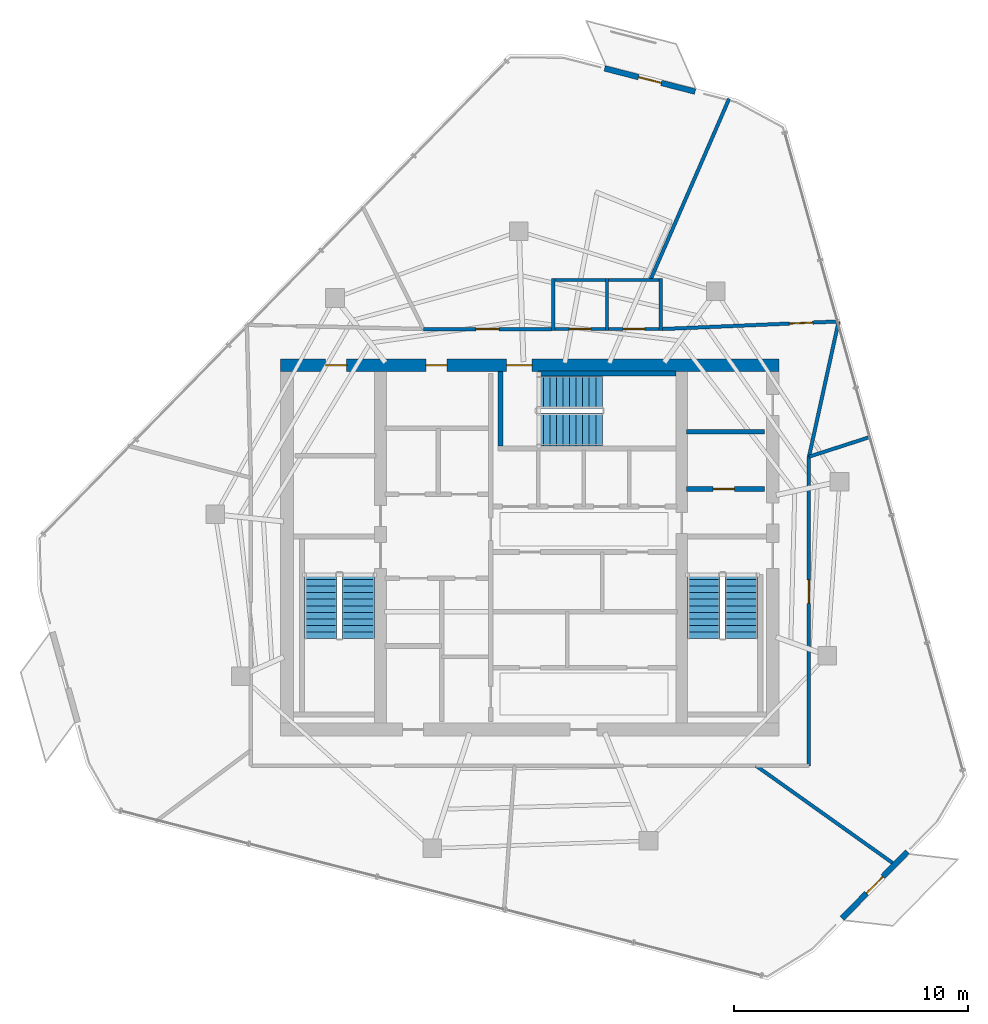
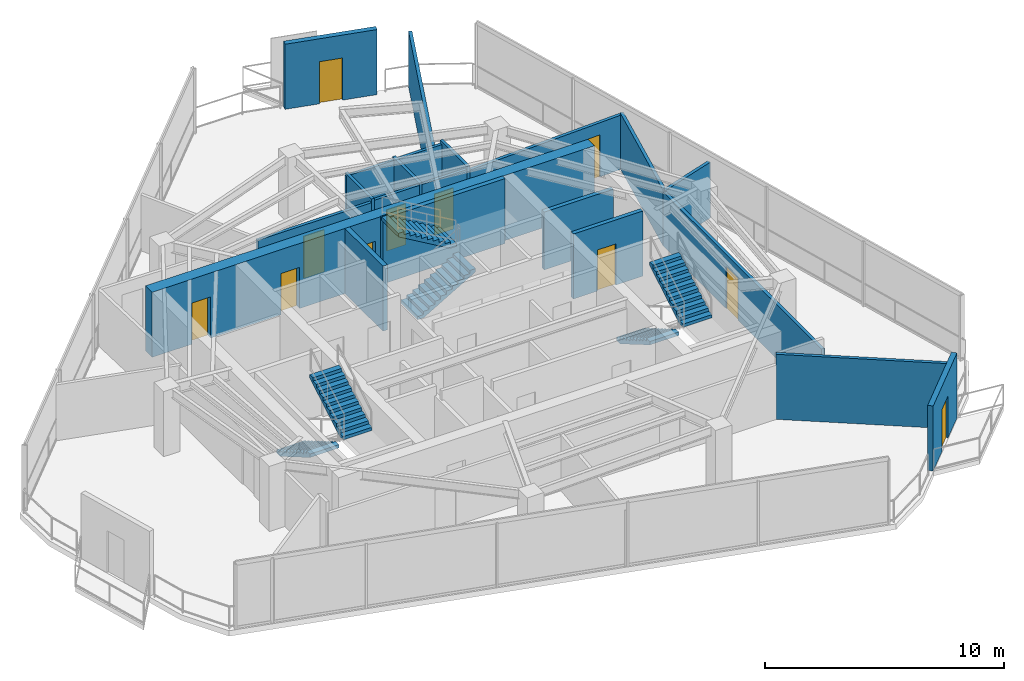
# One storey, part 16 of 18: 21 walls, 11 doors, 6 stair flights, 11 openings, 3 elements without a shape of their own.
"""IFC4 building model written with IfcOpenShell, lengths in metres."""

from ifc_helpers import new_model, si_unit, direction, frame, frame_2d, origin, place, context, subcontext, project, spatial, polyline, rectangle, outline, extrude, material, layer, layer_set, type_object, element, fill, aggregate, save


model = new_model("IFC4")

# Units and contexts
model_context = context("Model", 3, precision=1e-05, world=origin(), true_north=direction((0.0, 1.0)))
body_context = subcontext(model_context, "Body", "Model", "MODEL_VIEW")
ifc_project = project(units=[si_unit("LENGTHUNIT", "METRE"), si_unit("AREAUNIT", "SQUARE_METRE"), si_unit("VOLUMEUNIT", "CUBIC_METRE"), si_unit("PLANEANGLEUNIT", "RADIAN"), si_unit("MASSUNIT", "GRAM", prefix="KILO")], contexts=[model_context])

# Site, building, storey
site_placement = place(None, origin())
site = spatial("IfcSite", under=ifc_project, at=site_placement, CompositionType="ELEMENT")
building_placement = place(site_placement, origin())
building = spatial("IfcBuilding", under=site, at=building_placement, Name="Qarnah Convention Tower", CompositionType="ELEMENT")
storey_placement = place(building_placement, frame((0.0, 0.0, 239.10009765625)))
storey = spatial("IfcBuildingStorey", under=building, at=storey_placement, Name="L64", CompositionType="ELEMENT", Elevation=239.10009765625)

# Wall, openings, doors
ifc_material_1 = material(Name="Concrete C60/75", Category="concrete")
ifc_layer_1 = layer(ifc_material_1, 0.550048828125)
ifc_layer_set_1 = layer_set([ifc_layer_1], Name="Concrete C60/75")
wall_type_1 = type_object("IfcWallType", Name="WL-CORE-550", PredefinedType="SHEAR", material=ifc_layer_set_1)
wall_1_placement = place(storey_placement, frame((26.52490234375, 34.199951171875, 0.0), z_axis=(0.0, 0.0, 1.0), x_axis=(1.0, 0.0, 0.0)))
wall_1 = element("IfcWall", 1, at=wall_1_placement, inside=storey, type_object=wall_type_1, Name="L64 core north shear wall", PredefinedType="SHEAR", context=body_context, shape_type="SweptSolid", body=[
    extrude(rectangle(XDim=21.35009765625, YDim=0.550048828125, at=frame_2d((10.675048828125, 0.0))), origin(), (0.0, 0.0, 1.0), 3.31982421875),
])
opening_1_placement = place(wall_1_placement, frame((9.675048828125, 0.0, 0.0)))
opening_1 = element("IfcOpeningElement", 2, at=opening_1_placement, cuts=wall_1, Name="Opening D-6403", PredefinedType="OPENING", context=body_context, shape_type="SweptSolid", body=[
    extrude(rectangle(XDim=1.10009765625, YDim=2.14990234375, at=frame_2d((0.550048828125, 1.074951171875))), frame((0.0, 0.284912109375, 0.0), z_axis=(0.0, -1.0, 0.0), x_axis=(1.0, 0.0, 0.0)), (0.0, 0.0, 1.0), 0.570068359375),
])
opening_2_placement = place(wall_1_placement, frame((1.925048828125, 0.0, 0.0)))
opening_2 = element("IfcOpeningElement", 3, at=opening_2_placement, cuts=wall_1, Name="Opening D-6409", PredefinedType="OPENING", context=body_context, shape_type="SweptSolid", body=[
    extrude(rectangle(XDim=0.89990234375, YDim=2.10009765625, at=frame_2d((0.449951171875, 1.050048828125))), frame((0.0, 0.284912109375, 0.0), z_axis=(0.0, -1.0, 0.0), x_axis=(1.0, 0.0, 0.0)), (0.0, 0.0, 1.0), 0.570068359375),
])
opening_3_placement = place(wall_1_placement, frame((6.22509765625, 0.0, 0.0)))
opening_3 = element("IfcOpeningElement", 4, at=opening_3_placement, cuts=wall_1, Name="Opening D-6410", PredefinedType="OPENING", context=body_context, shape_type="SweptSolid", body=[
    extrude(rectangle(XDim=0.89990234375, YDim=2.10009765625, at=frame_2d((0.449951171875, 1.050048828125))), frame((0.0, 0.284912109375, 0.0), z_axis=(0.0, -1.0, 0.0), x_axis=(1.0, 0.0, 0.0)), (0.0, 0.0, 1.0), 0.570068359375),
])
ifc_material_2 = material(Name="Structural steel S355JR", Category="steel")
door_type_1 = type_object("IfcDoorType", Name="DT-RISER-900", OperationType="NOTDEFINED", PredefinedType="DOOR", material=ifc_material_2)
door_1_placement = place(opening_2_placement, origin())
door_1 = element("IfcDoor", 5, at=door_1_placement, inside=storey, type_object=door_type_1, Name="Door D-6409", OperationType="SINGLE_SWING_RIGHT", OverallHeight=2.10009765625, OverallWidth=0.89990234375, PredefinedType="DOOR", context=body_context, shape_type="SweptSolid", body=[
    extrude(rectangle(XDim=0.89990234375, YDim=2.10009765625, at=frame_2d((0.449951171875, 1.050048828125))), frame((0.0, 0.02490234375, 0.0), z_axis=(0.0, -1.0, 0.0), x_axis=(1.0, 0.0, 0.0)), (0.0, 0.0, 1.0), 0.050048828125),
])
fill(opening_2, door_1)
door_2_placement = place(opening_3_placement, origin())
door_2 = element("IfcDoor", 6, at=door_2_placement, inside=storey, type_object=door_type_1, Name="Door D-6410", OperationType="SINGLE_SWING_LEFT", OverallHeight=2.10009765625, OverallWidth=0.89990234375, PredefinedType="DOOR", context=body_context, shape_type="SweptSolid", body=[
    extrude(rectangle(XDim=0.89990234375, YDim=2.10009765625, at=frame_2d((0.449951171875, 1.050048828125))), frame((0.0, 0.02490234375, 0.0), z_axis=(0.0, -1.0, 0.0), x_axis=(1.0, 0.0, 0.0)), (0.0, 0.0, 1.0), 0.050048828125),
])
fill(opening_3, door_2)
door_type_2 = type_object("IfcDoorType", Name="DT-STAIR-1100", OperationType="NOTDEFINED", PredefinedType="DOOR", material=ifc_material_2)
door_3_placement = place(opening_1_placement, origin())
door_3 = element("IfcDoor", 7, at=door_3_placement, inside=storey, type_object=door_type_2, Name="Door D-6403", OperationType="SINGLE_SWING_RIGHT", OverallHeight=2.14990234375, OverallWidth=1.10009765625, PredefinedType="DOOR", context=body_context, shape_type="SweptSolid", body=[
    extrude(rectangle(XDim=1.10009765625, YDim=2.14990234375, at=frame_2d((0.550048828125, 1.074951171875))), frame((0.0, 0.02490234375, 0.0), z_axis=(0.0, -1.0, 0.0), x_axis=(1.0, 0.0, 0.0)), (0.0, 0.0, 1.0), 0.050048828125),
])
fill(opening_1, door_3)

# Wall, opening, door
ifc_material_3 = material(Name="Concrete C45/55", Category="concrete")
ifc_layer_2 = layer(ifc_material_3, 0.199951171875)
ifc_layer_set_2 = layer_set([ifc_layer_2], Name="Concrete C45/55")
wall_type_2 = type_object("IfcWallType", Name="WL-CORE-PART-200", PredefinedType="SOLIDWALL", material=ifc_layer_set_2)
wall_2_placement = place(storey_placement, frame((43.89990234375, 28.89990234375, 0.0), z_axis=(0.0, 0.0, 1.0), x_axis=(1.0, 0.0, 0.0)))
wall_2 = element("IfcWall", 8, at=wall_2_placement, inside=storey, type_object=wall_type_2, Name="L64 interior wall IW-L64-EVSTN", PredefinedType="SOLIDWALL", context=body_context, shape_type="SweptSolid", body=[
    extrude(rectangle(XDim=3.35009765625, YDim=0.199951171875, at=frame_2d((1.675048828125, 0.0))), origin(), (0.0, 0.0, 1.0), 3.31982421875),
])
opening_4_placement = place(wall_2_placement, frame((1.14990234375, 0.0, 0.0)))
opening_4 = element("IfcOpeningElement", 9, at=opening_4_placement, cuts=wall_2, Name="Opening D-6411", PredefinedType="OPENING", context=body_context, shape_type="SweptSolid", body=[
    extrude(rectangle(XDim=0.89990234375, YDim=2.10009765625, at=frame_2d((0.449951171875, 1.050048828125))), frame((0.0, 0.10986328125, 0.0), z_axis=(0.0, -1.0, 0.0), x_axis=(1.0, 0.0, 0.0)), (0.0, 0.0, 1.0), 0.219970703125),
])
door_4_placement = place(opening_4_placement, origin())
door_4 = element("IfcDoor", 10, at=door_4_placement, inside=storey, type_object=door_type_1, Name="Door D-6411", OperationType="SINGLE_SWING_RIGHT", OverallHeight=2.10009765625, OverallWidth=0.89990234375, PredefinedType="DOOR", context=body_context, shape_type="SweptSolid", body=[
    extrude(rectangle(XDim=0.89990234375, YDim=2.10009765625, at=frame_2d((0.449951171875, 1.050048828125))), frame((0.0, 0.02490234375, 0.0), z_axis=(0.0, -1.0, 0.0), x_axis=(1.0, 0.0, 0.0)), (0.0, 0.0, 1.0), 0.050048828125),
])
fill(opening_4, door_4)

# Walls
wall_3_placement = place(storey_placement, frame((43.89990234375, 31.35009765625, 0.0), z_axis=(0.0, 0.0, 1.0), x_axis=(1.0, 0.0, 0.0)))
element("IfcWall", 11, at=wall_3_placement, inside=storey, type_object=wall_type_2, Name="L64 interior wall IW-L64-WTRN", PredefinedType="SOLIDWALL", context=body_context, shape_type="SweptSolid", body=[
    extrude(rectangle(XDim=3.35009765625, YDim=0.199951171875, at=frame_2d((1.675048828125, 0.0))), origin(), (0.0, 0.0, 1.0), 2.948974609375),
])
ifc_layer_3 = layer(ifc_material_1, 0.219970703125)
ifc_layer_set_3 = layer_set([ifc_layer_3], Name="Concrete C60/75")
wall_type_3 = type_object("IfcWallType", Name="WL-CORE-STAIR-220", PredefinedType="SHEAR", material=ifc_layer_set_3)
wall_4_placement = place(storey_placement, frame((35.93994140625, 30.75, 0.0), z_axis=(0.0, 0.0, 1.0), x_axis=(0.0, 1.0, 0.0)))
element("IfcWall", 12, at=wall_4_placement, inside=storey, type_object=wall_type_3, Name="L64 stair shaft shear wall SW-L64-ST3W", PredefinedType="SHEAR", context=body_context, shape_type="SweptSolid", body=[
    extrude(rectangle(XDim=3.175048828125, YDim=0.219970703125, at=frame_2d((1.58740234375, 0.0))), origin(), (0.0, 0.0, 1.0), 3.31982421875),
])
wall_5_placement = place(storey_placement, frame((37.550048828125, 33.840087890625, 0.0), z_axis=(0.0, 0.0, 1.0), x_axis=(1.0, 0.0, 0.0)))
element("IfcWall", 13, at=wall_5_placement, inside=storey, type_object=wall_type_3, Name="L64 stair shaft shear wall SW-L64-ST3N", PredefinedType="SHEAR", context=body_context, shape_type="SweptSolid", body=[
    extrude(rectangle(XDim=5.89990234375, YDim=0.219970703125, at=frame_2d((2.949951171875, 0.0))), origin(), (0.0, 0.0, 1.0), 3.31982421875),
])

# Wall, opening, door
ifc_material_4 = material(Name="Precast concrete C45/55", Category="concrete")
ifc_layer_4 = layer(ifc_material_4, 0.239990234375)
ifc_layer_set_4 = layer_set([ifc_layer_4], Name="Precast concrete C45/55")
wall_type_4 = type_object("IfcWallType", Name="WL-EXT-BAL-240", PredefinedType="SOLIDWALL", material=ifc_layer_set_4)
wall_6_placement = place(storey_placement, frame((40.40087890625, 46.908935546875, 0.0), z_axis=(0.0, 0.0, 1.0), x_axis=(0.968630341944, -0.248506057604, 0.0)))
wall_6 = element("IfcWall", 14, at=wall_6_placement, inside=storey, type_object=wall_type_4, Name="L64 loggia threshold wall BAL-L64-C1", PredefinedType="SOLIDWALL", context=body_context, shape_type="SweptSolid", body=[
    extrude(rectangle(XDim=3.99951171875, YDim=0.239990234375, at=frame_2d((1.999755859375, 0.0))), origin(), (0.0, 0.0, 1.0), 3.31982421875),
])
opening_5_placement = place(wall_6_placement, frame((1.5, 0.0, 0.0)))
opening_5 = element("IfcOpeningElement", 15, at=opening_5_placement, cuts=wall_6, Name="Opening BD-6401", PredefinedType="OPENING", context=body_context, shape_type="SweptSolid", body=[
    extrude(rectangle(XDim=1.0, YDim=2.14990234375, at=frame_2d((0.5, 1.074951171875))), frame((0.0, 0.1298828125, 0.0), z_axis=(0.0, -1.0, 0.0), x_axis=(1.0, 0.0, 0.0)), (0.0, 0.0, 1.0), 0.260009765625),
])
ifc_material_5 = material(Name="Black anodised aluminium", Category="aluminium")
door_type_3 = type_object("IfcDoorType", Name="DT-BAL-1000", OperationType="NOTDEFINED", PredefinedType="DOOR", material=ifc_material_5)
door_5_placement = place(opening_5_placement, origin())
door_5 = element("IfcDoor", 16, at=door_5_placement, inside=storey, type_object=door_type_3, Name="L64 balcony terrace door BAL-L64-C1", OperationType="SINGLE_SWING_LEFT", OverallHeight=2.14990234375, OverallWidth=1.0, PredefinedType="DOOR", context=body_context, shape_type="SweptSolid", body=[
    extrude(rectangle(XDim=1.0, YDim=2.14990234375, at=frame_2d((0.5, 1.074951171875))), frame((0.0, 0.02490234375, 0.0), z_axis=(0.0, -1.0, 0.0), x_axis=(1.0, 0.0, 0.0)), (0.0, 0.0, 1.0), 0.050048828125),
])
fill(opening_5, door_5)

wall_7_placement = place(storey_placement, frame((53.361083984375, 13.373046875, 0.0), z_axis=(0.0, 0.0, 1.0), x_axis=(-0.699683857242, -0.714452587591, 0.0)))
wall_7 = element("IfcWall", 17, at=wall_7_placement, inside=storey, type_object=wall_type_4, Name="L64 loggia threshold wall BAL-L64-C3", PredefinedType="SOLIDWALL", context=body_context, shape_type="SweptSolid", body=[
    extrude(rectangle(XDim=4.00048828125, YDim=0.239990234375, at=frame_2d((2.000244140625, 0.0))), origin(), (0.0, 0.0, 1.0), 3.31982421875),
])
opening_6_placement = place(wall_7_placement, frame((1.5, 0.0, 0.0)))
opening_6 = element("IfcOpeningElement", 18, at=opening_6_placement, cuts=wall_7, Name="Opening BD-6403", PredefinedType="OPENING", context=body_context, shape_type="SweptSolid", body=[
    extrude(rectangle(XDim=1.0, YDim=2.14990234375, at=frame_2d((0.5, 1.074951171875))), frame((0.0, 0.1298828125, 0.0), z_axis=(0.0, -1.0, 0.0), x_axis=(1.0, 0.0, 0.0)), (0.0, 0.0, 1.0), 0.260009765625),
])
door_6_placement = place(opening_6_placement, origin())
door_6 = element("IfcDoor", 19, at=door_6_placement, inside=storey, type_object=door_type_3, Name="L64 balcony terrace door BAL-L64-C3", OperationType="SINGLE_SWING_LEFT", OverallHeight=2.14990234375, OverallWidth=1.0, PredefinedType="DOOR", context=body_context, shape_type="SweptSolid", body=[
    extrude(rectangle(XDim=1.0, YDim=2.14990234375, at=frame_2d((0.5, 1.074951171875))), frame((0.0, 0.02490234375, 0.0), z_axis=(0.0, -1.0, 0.0), x_axis=(1.0, 0.0, 0.0)), (0.0, 0.0, 1.0), 0.050048828125),
])
fill(opening_6, door_6)

# Wall
ifc_material_6 = material(Name="Gypsum partition board")
ifc_layer_5 = layer(ifc_material_6, 0.14990234375)
ifc_layer_set_5 = layer_set([ifc_layer_5], Name="Gypsum partition board")
wall_type_5 = type_object("IfcWallType", Name="WL-SUITE-150", PredefinedType="PARTITIONING", material=ifc_layer_set_5)
wall_8_placement = place(storey_placement, frame((45.72802734375, 45.60498046875, 0.0), z_axis=(0.0, 0.0, 1.0), x_axis=(-0.398351234588, -0.917232955089, 0.0)))
element("IfcWall", 20, at=wall_8_placement, inside=storey, type_object=wall_type_5, Name="L64 interior wall IW-L64-R-08", PredefinedType="PARTITIONING", context=body_context, shape_type="SweptSolid", body=[
    extrude(rectangle(XDim=8.45458984375, YDim=0.14990234375, at=frame_2d((4.227294921875, 0.0))), origin(), (0.0, 0.0, 1.0), 2.8408203125),
])

# Wall, opening, door
wall_9_placement = place(storey_placement, frame((42.8701171875, 35.75, 0.0), z_axis=(0.0, 0.0, 1.0), x_axis=(0.999074781957, 0.043006744333, 0.0)))
wall_9 = element("IfcWall", 21, at=wall_9_placement, inside=storey, type_object=wall_type_5, Name="L64 interior wall IW-L64-R-09", PredefinedType="PARTITIONING", context=body_context, shape_type="SweptSolid", body=[
    extrude(rectangle(XDim=7.555908203125, YDim=0.14990234375, at=frame_2d((3.77783203125, 0.0))), origin(), (0.0, 0.0, 1.0), 2.764892578125),
])
opening_7_placement = place(wall_9_placement, frame((5.447998046875, 0.0, 0.0)))
opening_7 = element("IfcOpeningElement", 22, at=opening_7_placement, cuts=wall_9, Name="Opening D-6422", PredefinedType="OPENING", context=body_context, shape_type="SweptSolid", body=[
    extrude(rectangle(XDim=1.0, YDim=2.14990234375, at=frame_2d((0.5, 1.074951171875))), frame((0.0, 0.0849609375, 0.0), z_axis=(0.0, -1.0, 0.0), x_axis=(1.0, 0.0, 0.0)), (0.0, 0.0, 1.0), 0.169921875),
])
ifc_material_7 = material(Name="Oak timber veneer", Category="wood")
door_type_4 = type_object("IfcDoorType", Name="DT-OFFICE-1000", OperationType="NOTDEFINED", PredefinedType="DOOR", material=ifc_material_7)
door_7_placement = place(opening_7_placement, origin())
door_7 = element("IfcDoor", 23, at=door_7_placement, inside=storey, type_object=door_type_4, Name="Door D-6422", OperationType="SINGLE_SWING_LEFT", OverallHeight=2.14990234375, OverallWidth=1.0, PredefinedType="DOOR", context=body_context, shape_type="SweptSolid", body=[
    extrude(rectangle(XDim=1.0, YDim=2.14990234375, at=frame_2d((0.5, 1.074951171875))), frame((0.0, 0.02490234375, 0.0), z_axis=(0.0, -1.0, 0.0), x_axis=(1.0, 0.0, 0.0)), (0.0, 0.0, 1.0), 0.050048828125),
])
fill(opening_7, door_7)

# Walls
wall_10_placement = place(storey_placement, frame((50.4189453125, 36.074951171875, 0.0), z_axis=(0.0, 0.0, 1.0), x_axis=(-0.214025957087, -0.976827973439, 0.0)))
element("IfcWall", 24, at=wall_10_placement, inside=storey, type_object=wall_type_5, Name="L64 interior wall IW-L64-R-10", PredefinedType="PARTITIONING", context=body_context, shape_type="SweptSolid", body=[
    extrude(rectangle(XDim=5.929443359375, YDim=0.14990234375, at=frame_2d((2.96484375, 0.0))), origin(), (0.0, 0.0, 1.0), 2.844970703125),
])
wall_11_placement = place(storey_placement, frame((49.14990234375, 30.282958984375, 0.0), z_axis=(0.0, 0.0, 1.0), x_axis=(0.951630680674, 0.307244280011, 0.0)))
element("IfcWall", 25, at=wall_11_placement, inside=storey, type_object=wall_type_5, Name="L64 interior wall IW-L64-R-11", PredefinedType="PARTITIONING", context=body_context, shape_type="SweptSolid", body=[
    extrude(rectangle(XDim=2.7763671875, YDim=0.14990234375, at=frame_2d((1.38818359375, 0.0))), origin(), (0.0, 0.0, 1.0), 2.844970703125),
])

# Wall, opening, door
wall_12_placement = place(storey_placement, frame((32.639892578125, 35.75, 0.0), z_axis=(0.0, 0.0, 1.0), x_axis=(1.0, 0.0, 0.0)))
wall_12 = element("IfcWall", 26, at=wall_12_placement, inside=storey, type_object=wall_type_5, Name="L64 interior wall IW-L64-R-13", PredefinedType="PARTITIONING", context=body_context, shape_type="SweptSolid", body=[
    extrude(rectangle(XDim=5.489990234375, YDim=0.14990234375, at=frame_2d((2.7451171875, 0.0))), origin(), (0.0, 0.0, 1.0), 2.764892578125),
])
opening_8_placement = place(wall_12_placement, frame((2.2451171875, 0.0, 0.0)))
opening_8 = element("IfcOpeningElement", 27, at=opening_8_placement, cuts=wall_12, Name="Opening D-6423", PredefinedType="OPENING", context=body_context, shape_type="SweptSolid", body=[
    extrude(rectangle(XDim=1.0, YDim=2.14990234375, at=frame_2d((0.5, 1.074951171875))), frame((0.0, 0.0849609375, 0.0), z_axis=(0.0, -1.0, 0.0), x_axis=(1.0, 0.0, 0.0)), (0.0, 0.0, 1.0), 0.169921875),
])
door_8_placement = place(opening_8_placement, origin())
door_8 = element("IfcDoor", 28, at=door_8_placement, inside=storey, type_object=door_type_4, Name="Door D-6423", OperationType="SINGLE_SWING_RIGHT", OverallHeight=2.14990234375, OverallWidth=1.0, PredefinedType="DOOR", context=body_context, shape_type="SweptSolid", body=[
    extrude(rectangle(XDim=1.0, YDim=2.14990234375, at=frame_2d((0.5, 1.074951171875))), frame((0.0, 0.02490234375, 0.0), z_axis=(0.0, -1.0, 0.0), x_axis=(1.0, 0.0, 0.0)), (0.0, 0.0, 1.0), 0.050048828125),
])
fill(opening_8, door_8)

# Wall
wall_13_placement = place(storey_placement, frame((52.8720703125, 12.7880859375, 0.0), z_axis=(0.0, 0.0, 1.0), x_axis=(-0.8148001933, 0.579741877906, 0.0)))
element("IfcWall", 29, at=wall_13_placement, inside=storey, type_object=wall_type_5, Name="L64 interior wall IW-L64-R-22", PredefinedType="PARTITIONING", context=body_context, shape_type="SweptSolid", body=[
    extrude(rectangle(XDim=7.3515625, YDim=0.14990234375, at=frame_2d((3.67578125, 0.0))), origin(), (0.0, 0.0, 1.0), 3.31982421875),
])

# Wall, opening, door
wall_14_placement = place(storey_placement, frame((49.14990234375, 30.282958984375, 0.0), z_axis=(0.0, 0.0, 1.0), x_axis=(0.0, -1.0, 0.0)))
wall_14 = element("IfcWall", 30, at=wall_14_placement, inside=storey, type_object=wall_type_5, Name="L64 interior wall IW-L64-R-24", PredefinedType="PARTITIONING", context=body_context, shape_type="SweptSolid", body=[
    extrude(rectangle(XDim=13.23291015625, YDim=0.14990234375, at=frame_2d((6.616455078125, 0.0))), origin(), (0.0, 0.0, 1.0), 2.764892578125),
])
opening_9_placement = place(wall_14_placement, frame((5.277099609375, 0.0, 0.0)))
opening_9 = element("IfcOpeningElement", 31, at=opening_9_placement, cuts=wall_14, Name="Opening D-6428", PredefinedType="OPENING", context=body_context, shape_type="SweptSolid", body=[
    extrude(rectangle(XDim=1.0, YDim=2.14990234375, at=frame_2d((0.5, 1.074951171875))), frame((0.0, 0.0849609375, 0.0), z_axis=(0.0, -1.0, 0.0), x_axis=(1.0, 0.0, 0.0)), (0.0, 0.0, 1.0), 0.169921875),
])
door_9_placement = place(opening_9_placement, origin())
door_9 = element("IfcDoor", 32, at=door_9_placement, inside=storey, type_object=door_type_4, Name="Door D-6428", OperationType="SINGLE_SWING_LEFT", OverallHeight=2.14990234375, OverallWidth=1.0, PredefinedType="DOOR", context=body_context, shape_type="SweptSolid", body=[
    extrude(rectangle(XDim=1.0, YDim=2.14990234375, at=frame_2d((0.5, 1.074951171875))), frame((0.0, 0.02490234375, 0.0), z_axis=(0.0, -1.0, 0.0), x_axis=(1.0, 0.0, 0.0)), (0.0, 0.0, 1.0), 0.050048828125),
])
fill(opening_9, door_9)

ifc_layer_6 = layer(ifc_material_6, 0.139892578125)
ifc_layer_set_6 = layer_set([ifc_layer_6], Name="Gypsum partition board")
wall_type_6 = type_object("IfcWallType", Name="WL-WET-140", PredefinedType="PARTITIONING", material=ifc_layer_set_6)
wall_15_placement = place(storey_placement, frame((38.1298828125, 35.75, 0.0), z_axis=(0.0, 0.0, 1.0), x_axis=(1.0, 0.0, 0.0)))
wall_15 = element("IfcWall", 33, at=wall_15_placement, inside=storey, type_object=wall_type_6, Name="L64 interior wall IW-L64-WCM-1", PredefinedType="PARTITIONING", context=body_context, shape_type="SweptSolid", body=[
    extrude(rectangle(XDim=2.440185546875, YDim=0.139892578125, at=frame_2d((1.22021484375, 0.0))), origin(), (0.0, 0.0, 1.0), 2.8408203125),
])
opening_10_placement = place(wall_15_placement, frame((0.760009765625, 0.0, 0.0)))
opening_10 = element("IfcOpeningElement", 34, at=opening_10_placement, cuts=wall_15, Name="Opening D-6420", PredefinedType="OPENING", context=body_context, shape_type="SweptSolid", body=[
    extrude(rectangle(XDim=0.919921875, YDim=2.10009765625, at=frame_2d((0.4599609375, 1.050048828125))), frame((0.0, 0.079833984375, 0.0), z_axis=(0.0, -1.0, 0.0), x_axis=(1.0, 0.0, 0.0)), (0.0, 0.0, 1.0), 0.159912109375),
])
door_type_5 = type_object("IfcDoorType", Name="DT-WC-920", OperationType="NOTDEFINED", PredefinedType="DOOR", material=ifc_material_7)
door_10_placement = place(opening_10_placement, origin())
door_10 = element("IfcDoor", 35, at=door_10_placement, inside=storey, type_object=door_type_5, Name="Door D-6420", OperationType="SINGLE_SWING_LEFT", OverallHeight=2.10009765625, OverallWidth=0.919921875, PredefinedType="DOOR", context=body_context, shape_type="SweptSolid", body=[
    extrude(rectangle(XDim=0.919921875, YDim=2.10009765625, at=frame_2d((0.4599609375, 1.050048828125))), frame((0.0, 0.02490234375, 0.0), z_axis=(0.0, -1.0, 0.0), x_axis=(1.0, 0.0, 0.0)), (0.0, 0.0, 1.0), 0.050048828125),
])
fill(opening_10, door_10)

# Walls
wall_16_placement = place(storey_placement, frame((40.5, 35.679931640625, 0.0), z_axis=(0.0, 0.0, 1.0), x_axis=(0.0, 1.0, 0.0)))
element("IfcWall", 36, at=wall_16_placement, inside=storey, type_object=wall_type_6, Name="L64 interior wall IW-L64-WCM-2", PredefinedType="PARTITIONING", context=body_context, shape_type="SweptSolid", body=[
    extrude(rectangle(XDim=2.239990234375, YDim=0.139892578125, at=frame_2d((1.1201171875, 0.0))), origin(), (0.0, 0.0, 1.0), 2.948974609375),
])
wall_17_placement = place(storey_placement, frame((40.570068359375, 37.85009765625, 0.0), z_axis=(0.0, 0.0, 1.0), x_axis=(-1.0, 0.0, 0.0)))
element("IfcWall", 37, at=wall_17_placement, inside=storey, type_object=wall_type_6, Name="L64 interior wall IW-L64-WCM-3", PredefinedType="PARTITIONING", context=body_context, shape_type="SweptSolid", body=[
    extrude(rectangle(XDim=2.440185546875, YDim=0.139892578125, at=frame_2d((1.22021484375, 0.0))), origin(), (0.0, 0.0, 1.0), 2.8408203125),
])
wall_18_placement = place(storey_placement, frame((38.199951171875, 37.919921875, 0.0), z_axis=(0.0, 0.0, 1.0), x_axis=(0.0, -1.0, 0.0)))
element("IfcWall", 38, at=wall_18_placement, inside=storey, type_object=wall_type_6, Name="L64 interior wall IW-L64-WCM-4", PredefinedType="PARTITIONING", context=body_context, shape_type="SweptSolid", body=[
    extrude(rectangle(XDim=2.239990234375, YDim=0.139892578125, at=frame_2d((1.1201171875, 0.0))), origin(), (0.0, 0.0, 1.0), 2.948974609375),
])

# Wall, opening, door
wall_19_placement = place(storey_placement, frame((40.429931640625, 35.75, 0.0), z_axis=(0.0, 0.0, 1.0), x_axis=(1.0, 0.0, 0.0)))
wall_19 = element("IfcWall", 39, at=wall_19_placement, inside=storey, type_object=wall_type_6, Name="L64 interior wall IW-L64-WCF-1", PredefinedType="PARTITIONING", context=body_context, shape_type="SweptSolid", body=[
    extrude(rectangle(XDim=2.440185546875, YDim=0.139892578125, at=frame_2d((1.22021484375, 0.0))), origin(), (0.0, 0.0, 1.0), 2.8408203125),
])
opening_11_placement = place(wall_19_placement, frame((0.760009765625, 0.0, 0.0)))
opening_11 = element("IfcOpeningElement", 40, at=opening_11_placement, cuts=wall_19, Name="Opening D-6421", PredefinedType="OPENING", context=body_context, shape_type="SweptSolid", body=[
    extrude(rectangle(XDim=0.919921875, YDim=2.10009765625, at=frame_2d((0.4599609375, 1.050048828125))), frame((0.0, 0.079833984375, 0.0), z_axis=(0.0, -1.0, 0.0), x_axis=(1.0, 0.0, 0.0)), (0.0, 0.0, 1.0), 0.159912109375),
])
door_11_placement = place(opening_11_placement, origin())
door_11 = element("IfcDoor", 41, at=door_11_placement, inside=storey, type_object=door_type_5, Name="Door D-6421", OperationType="SINGLE_SWING_RIGHT", OverallHeight=2.10009765625, OverallWidth=0.919921875, PredefinedType="DOOR", context=body_context, shape_type="SweptSolid", body=[
    extrude(rectangle(XDim=0.919921875, YDim=2.10009765625, at=frame_2d((0.4599609375, 1.050048828125))), frame((0.0, 0.02490234375, 0.0), z_axis=(0.0, -1.0, 0.0), x_axis=(1.0, 0.0, 0.0)), (0.0, 0.0, 1.0), 0.050048828125),
])
fill(opening_11, door_11)

# Walls
wall_20_placement = place(storey_placement, frame((42.800048828125, 35.679931640625, 0.0), z_axis=(0.0, 0.0, 1.0), x_axis=(0.0, 1.0, 0.0)))
element("IfcWall", 42, at=wall_20_placement, inside=storey, type_object=wall_type_6, Name="L64 interior wall IW-L64-WCF-2", PredefinedType="PARTITIONING", context=body_context, shape_type="SweptSolid", body=[
    extrude(rectangle(XDim=2.239990234375, YDim=0.139892578125, at=frame_2d((1.1201171875, 0.0))), origin(), (0.0, 0.0, 1.0), 2.992919921875),
])
wall_21_placement = place(storey_placement, frame((42.8701171875, 37.85009765625, 0.0), z_axis=(0.0, 0.0, 1.0), x_axis=(-1.0, 0.0, 0.0)))
element("IfcWall", 43, at=wall_21_placement, inside=storey, type_object=wall_type_6, Name="L64 interior wall IW-L64-WCF-3", PredefinedType="PARTITIONING", context=body_context, shape_type="SweptSolid", body=[
    extrude(rectangle(XDim=2.440185546875, YDim=0.139892578125, at=frame_2d((1.22021484375, 0.0))), origin(), (0.0, 0.0, 1.0), 2.8408203125),
])

# Stair, stair flights
ifc_material_8 = material(Name="Concrete C50/60", Category="concrete")
stair_type = type_object("IfcStairType", Name="STR-OFF", PredefinedType="HALF_TURN_STAIR", material=ifc_material_8)
stair_1_placement = place(storey_placement, origin())
stair_1 = element("IfcStair", 44, at=stair_1_placement, inside=storey, type_object=stair_type, Name="L64 Core exit stair ST-1", PredefinedType="HALF_TURN_STAIR")
stair_flight_type = type_object("IfcStairFlightType", Name="FLT-OFF", PredefinedType="STRAIGHT", material=ifc_material_8)
stair_flight_1_placement = place(storey_placement, frame((28.25, 25.300048828125, 0.0), z_axis=(0.0, 0.0, 1.0), x_axis=(0.0, -1.0, 0.0)))
stair_flight_1 = element("IfcStairFlight", 45, at=stair_flight_1_placement, type_object=stair_flight_type, Name="ST-1 flight 1", NumberOfRisers=11, NumberOfTreads=10, PredefinedType="STRAIGHT", RiserHeight=0.163636364, TreadLength=0.28, context=body_context, shape_type="SweptSolid", body=[
    extrude(outline(polyline([(0.0, 0.0), (0.0, 0.16357421875), (0.280029296875, 0.16357421875), (0.280029296875, 0.327392578125), (0.56005859375, 0.327392578125), (0.56005859375, 0.490966796875), (0.840087890625, 0.490966796875), (0.840087890625, 0.654541015625), (1.1201171875, 0.654541015625), (1.1201171875, 0.818115234375), (1.39990234375, 0.818115234375), (1.39990234375, 0.98193359375), (1.679931640625, 0.98193359375), (1.679931640625, 1.1455078125), (1.9599609375, 1.1455078125), (1.9599609375, 1.30908203125), (2.239990234375, 1.30908203125), (2.239990234375, 1.47265625), (2.52001953125, 1.47265625), (2.52001953125, 1.636474609375), (2.800048828125, 1.636474609375), (2.800048828125, 1.800048828125), (2.800048828125, 1.462646484375), (0.297119140625, 0.0), (0.0, 0.0)])), frame((0.0, 0.699951171875, 0.0), z_axis=(0.0, -1.0, 0.0), x_axis=(1.0, 0.0, 0.0)), (0.0, 0.0, 1.0), 1.39990234375),
])
stair_flight_2_placement = place(storey_placement, frame((29.85009765625, 22.5, 1.7998046875), z_axis=(0.0, 0.0, 1.0), x_axis=(0.0, 1.0, 0.0)))
stair_flight_2 = element("IfcStairFlight", 46, at=stair_flight_2_placement, type_object=stair_flight_type, Name="ST-1 flight 2", NumberOfRisers=11, NumberOfTreads=10, PredefinedType="STRAIGHT", RiserHeight=0.163636364, TreadLength=0.28, context=body_context, shape_type="SweptSolid", body=[
    extrude(outline(polyline([(0.0, 0.0), (0.0, 0.16357421875), (0.280029296875, 0.16357421875), (0.280029296875, 0.327392578125), (0.56005859375, 0.327392578125), (0.56005859375, 0.490966796875), (0.840087890625, 0.490966796875), (0.840087890625, 0.654541015625), (1.1201171875, 0.654541015625), (1.1201171875, 0.818115234375), (1.39990234375, 0.818115234375), (1.39990234375, 0.98193359375), (1.679931640625, 0.98193359375), (1.679931640625, 1.1455078125), (1.9599609375, 1.1455078125), (1.9599609375, 1.30908203125), (2.239990234375, 1.30908203125), (2.239990234375, 1.47265625), (2.52001953125, 1.47265625), (2.52001953125, 1.636474609375), (2.800048828125, 1.636474609375), (2.800048828125, 1.800048828125), (2.800048828125, 1.462646484375), (0.297119140625, 0.0), (0.0, 0.0)])), frame((0.0, 0.699951171875, 0.0), z_axis=(0.0, -1.0, 0.0), x_axis=(1.0, 0.0, 0.0)), (0.0, 0.0, 1.0), 1.39990234375),
])
aggregate(stair_1, [stair_flight_1, stair_flight_2])

stair_2_placement = place(storey_placement, origin())
stair_2 = element("IfcStair", 47, at=stair_2_placement, inside=storey, type_object=stair_type, Name="L64 Core exit stair ST-2", PredefinedType="HALF_TURN_STAIR")
stair_flight_3_placement = place(storey_placement, frame((44.64990234375, 25.300048828125, 0.0), z_axis=(0.0, 0.0, 1.0), x_axis=(0.0, -1.0, 0.0)))
stair_flight_3 = element("IfcStairFlight", 48, at=stair_flight_3_placement, type_object=stair_flight_type, Name="ST-2 flight 1", NumberOfRisers=11, NumberOfTreads=10, PredefinedType="STRAIGHT", RiserHeight=0.163636364, TreadLength=0.28, context=body_context, shape_type="SweptSolid", body=[
    extrude(outline(polyline([(0.0, 0.0), (0.0, 0.16357421875), (0.280029296875, 0.16357421875), (0.280029296875, 0.327392578125), (0.56005859375, 0.327392578125), (0.56005859375, 0.490966796875), (0.840087890625, 0.490966796875), (0.840087890625, 0.654541015625), (1.1201171875, 0.654541015625), (1.1201171875, 0.818115234375), (1.39990234375, 0.818115234375), (1.39990234375, 0.98193359375), (1.679931640625, 0.98193359375), (1.679931640625, 1.1455078125), (1.9599609375, 1.1455078125), (1.9599609375, 1.30908203125), (2.239990234375, 1.30908203125), (2.239990234375, 1.47265625), (2.52001953125, 1.47265625), (2.52001953125, 1.636474609375), (2.800048828125, 1.636474609375), (2.800048828125, 1.800048828125), (2.800048828125, 1.462646484375), (0.297119140625, 0.0), (0.0, 0.0)])), frame((0.0, 0.699951171875, 0.0), z_axis=(0.0, -1.0, 0.0), x_axis=(1.0, 0.0, 0.0)), (0.0, 0.0, 1.0), 1.39990234375),
])
stair_flight_4_placement = place(storey_placement, frame((46.25, 22.5, 1.7998046875), z_axis=(0.0, 0.0, 1.0), x_axis=(0.0, 1.0, 0.0)))
stair_flight_4 = element("IfcStairFlight", 49, at=stair_flight_4_placement, type_object=stair_flight_type, Name="ST-2 flight 2", NumberOfRisers=11, NumberOfTreads=10, PredefinedType="STRAIGHT", RiserHeight=0.163636364, TreadLength=0.28, context=body_context, shape_type="SweptSolid", body=[
    extrude(outline(polyline([(0.0, 0.0), (0.0, 0.16357421875), (0.280029296875, 0.16357421875), (0.280029296875, 0.327392578125), (0.56005859375, 0.327392578125), (0.56005859375, 0.490966796875), (0.840087890625, 0.490966796875), (0.840087890625, 0.654541015625), (1.1201171875, 0.654541015625), (1.1201171875, 0.818115234375), (1.39990234375, 0.818115234375), (1.39990234375, 0.98193359375), (1.679931640625, 0.98193359375), (1.679931640625, 1.1455078125), (1.9599609375, 1.1455078125), (1.9599609375, 1.30908203125), (2.239990234375, 1.30908203125), (2.239990234375, 1.47265625), (2.52001953125, 1.47265625), (2.52001953125, 1.636474609375), (2.800048828125, 1.636474609375), (2.800048828125, 1.800048828125), (2.800048828125, 1.462646484375), (0.297119140625, 0.0), (0.0, 0.0)])), frame((0.0, 0.699951171875, 0.0), z_axis=(0.0, -1.0, 0.0), x_axis=(1.0, 0.0, 0.0)), (0.0, 0.0, 1.0), 1.39990234375),
])
aggregate(stair_2, [stair_flight_3, stair_flight_4])

stair_3_placement = place(storey_placement, origin())
stair_3 = element("IfcStair", 50, at=stair_3_placement, inside=storey, type_object=stair_type, Name="L64 Core exit stair ST-3", PredefinedType="HALF_TURN_STAIR")
stair_flight_5_placement = place(storey_placement, frame((37.5, 31.449951171875, 0.0), z_axis=(0.0, 0.0, 1.0), x_axis=(1.0, 0.0, 0.0)))
stair_flight_5 = element("IfcStairFlight", 51, at=stair_flight_5_placement, type_object=stair_flight_type, Name="ST-3 flight 1", NumberOfRisers=11, NumberOfTreads=10, PredefinedType="STRAIGHT", RiserHeight=0.163636364, TreadLength=0.28, context=body_context, shape_type="SweptSolid", body=[
    extrude(outline(polyline([(0.0, 0.0), (0.0, 0.16357421875), (0.280029296875, 0.16357421875), (0.280029296875, 0.327392578125), (0.56005859375, 0.327392578125), (0.56005859375, 0.490966796875), (0.840087890625, 0.490966796875), (0.840087890625, 0.654541015625), (1.1201171875, 0.654541015625), (1.1201171875, 0.818115234375), (1.39990234375, 0.818115234375), (1.39990234375, 0.98193359375), (1.679931640625, 0.98193359375), (1.679931640625, 1.1455078125), (1.9599609375, 1.1455078125), (1.9599609375, 1.30908203125), (2.239990234375, 1.30908203125), (2.239990234375, 1.47265625), (2.52001953125, 1.47265625), (2.52001953125, 1.636474609375), (2.800048828125, 1.636474609375), (2.800048828125, 1.800048828125), (2.800048828125, 1.462646484375), (0.297119140625, 0.0), (0.0, 0.0)])), frame((0.0, 0.699951171875, 0.0), z_axis=(0.0, -1.0, 0.0), x_axis=(1.0, 0.0, 0.0)), (0.0, 0.0, 1.0), 1.39990234375),
])
stair_flight_6_placement = place(storey_placement, frame((40.300048828125, 33.050048828125, 1.7998046875), z_axis=(0.0, 0.0, 1.0), x_axis=(-1.0, 0.0, 0.0)))
stair_flight_6 = element("IfcStairFlight", 52, at=stair_flight_6_placement, type_object=stair_flight_type, Name="ST-3 flight 2", NumberOfRisers=11, NumberOfTreads=10, PredefinedType="STRAIGHT", RiserHeight=0.163636364, TreadLength=0.28, context=body_context, shape_type="SweptSolid", body=[
    extrude(outline(polyline([(0.0, 0.0), (0.0, 0.16357421875), (0.280029296875, 0.16357421875), (0.280029296875, 0.327392578125), (0.56005859375, 0.327392578125), (0.56005859375, 0.490966796875), (0.840087890625, 0.490966796875), (0.840087890625, 0.654541015625), (1.1201171875, 0.654541015625), (1.1201171875, 0.818115234375), (1.39990234375, 0.818115234375), (1.39990234375, 0.98193359375), (1.679931640625, 0.98193359375), (1.679931640625, 1.1455078125), (1.9599609375, 1.1455078125), (1.9599609375, 1.30908203125), (2.239990234375, 1.30908203125), (2.239990234375, 1.47265625), (2.52001953125, 1.47265625), (2.52001953125, 1.636474609375), (2.800048828125, 1.636474609375), (2.800048828125, 1.800048828125), (2.800048828125, 1.462646484375), (0.297119140625, 0.0), (0.0, 0.0)])), frame((0.0, 0.699951171875, 0.0), z_axis=(0.0, -1.0, 0.0), x_axis=(1.0, 0.0, 0.0)), (0.0, 0.0, 1.0), 1.39990234375),
])
aggregate(stair_3, [stair_flight_5, stair_flight_6])

save(model, "model.ifc")
